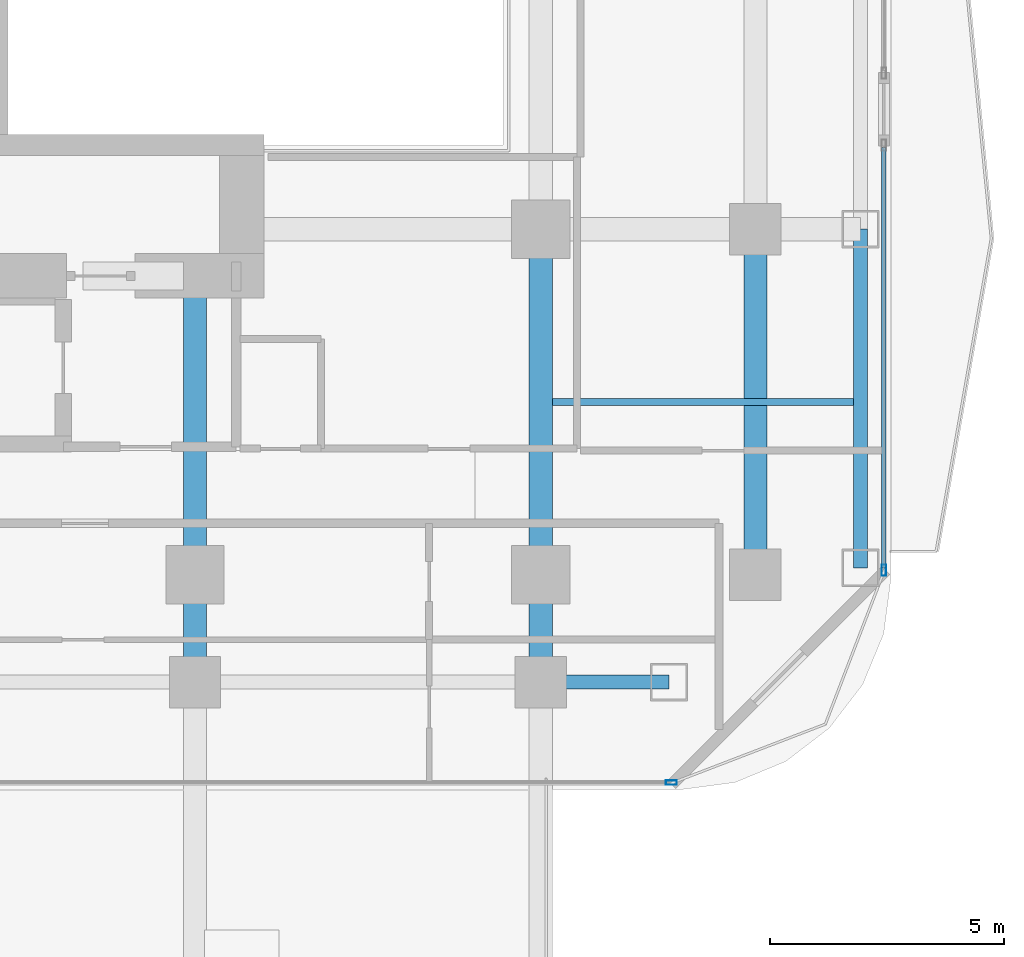
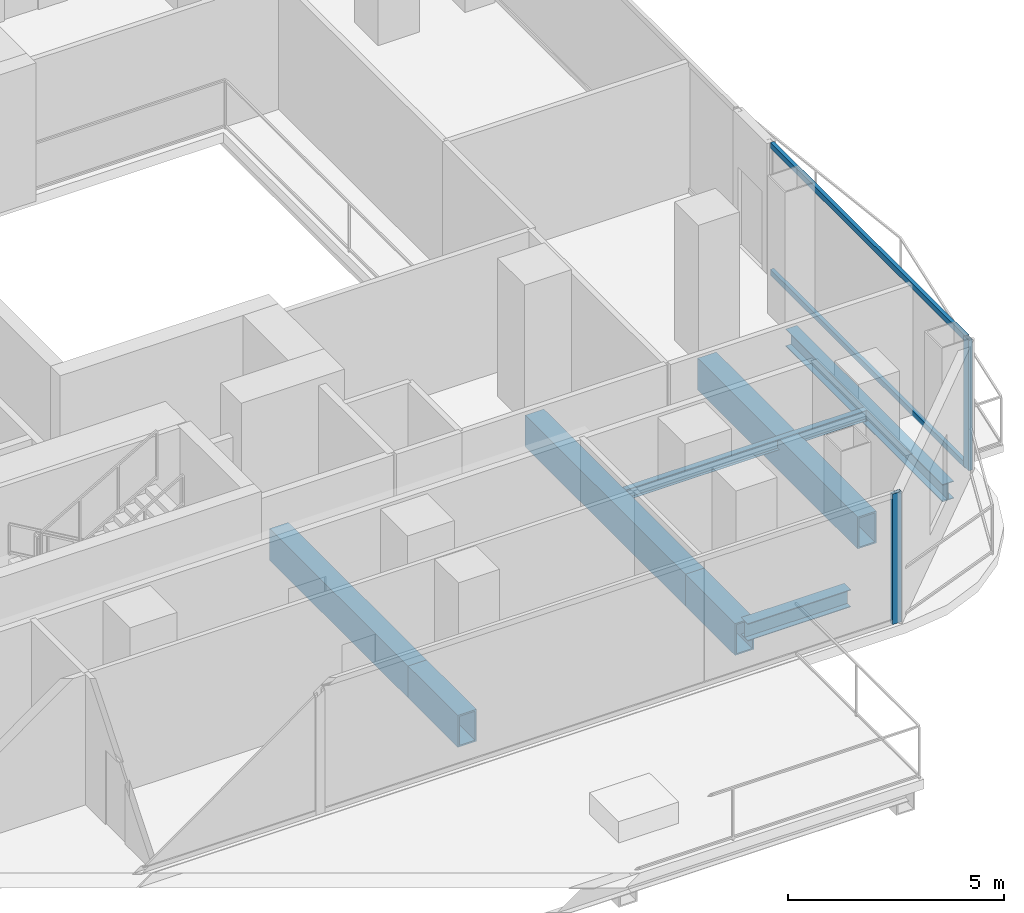
# One storey, part 6 of 29: 8 beams, 4 members, 2 elements without a shape of their own.
"""IFC4 building model written with IfcOpenShell, lengths in metres."""

from ifc_helpers import new_model, si_unit, direction, frame, origin, origin_2d, place, context, subcontext, project, spatial, hollow_rectangle, i_section, extrude, material, layer, layer_set, material_profile, profile_set, type_object, element, aggregate, save


model = new_model("IFC4")

# Units and contexts
model_context = context("Model", 3, precision=1e-05, world=origin(), true_north=direction((0.0, 1.0)))
body_context = subcontext(model_context, "Body", "Model", "MODEL_VIEW")
ifc_project = project(units=[si_unit("LENGTHUNIT", "METRE"), si_unit("AREAUNIT", "SQUARE_METRE"), si_unit("VOLUMEUNIT", "CUBIC_METRE"), si_unit("PLANEANGLEUNIT", "RADIAN"), si_unit("MASSUNIT", "GRAM", prefix="KILO")], contexts=[model_context])

# Site, building, storey
site_placement = place(None, origin())
site = spatial("IfcSite", under=ifc_project, at=site_placement, CompositionType="ELEMENT")
building_placement = place(site_placement, origin())
building = spatial("IfcBuilding", under=site, at=building_placement, Name="Khorvyn Point Tower", CompositionType="ELEMENT")
storey_placement = place(building_placement, frame((0.0, 0.0, 85.199951171875)))
storey = spatial("IfcBuildingStorey", under=building, at=storey_placement, Name="L21", CompositionType="ELEMENT", Elevation=85.199951171875)

# Curtain wall, member
ifc_material_1 = material(Name="Anodised aluminium 6063-T6 and laminated Low-E glass", Category="aluminium")
ifc_layer = layer(ifc_material_1, 0.18994140625)
ifc_layer_set = layer_set([ifc_layer], Name="Stick-Built Finned Residential Curtain Wall CW-SYS-02")
curtain_wall_type = type_object("IfcCurtainWallType", Name="Stick-Built Finned Residential Curtain Wall CW-SYS-02", PredefinedType="NOTDEFINED", material=ifc_layer_set)
curtain_wall_1_placement = place(storey_placement, origin())
curtain_wall_1 = element("IfcCurtainWall", 1, at=curtain_wall_1_placement, inside=storey, type_object=curtain_wall_type, Name="Curtain Wall", PredefinedType="NOTDEFINED")
ifc_material_2 = material(Name="Anodised aluminium 6063-T6", Category="aluminium")
ifc_material_profile_1 = material_profile(ifc_material_2, hollow_rectangle(XDim=0.10009765625, YDim=0.239990234375, WallThickness=0.0048828125, at=origin_2d()))
ifc_profile_set_1 = profile_set([ifc_material_profile_1], Name="Anodised aluminium 6063-T6 ALU-MUL-100x240")
member_type_1 = type_object("IfcMemberType", Name="Anodised Aluminium 6063-T6 Mullion ALU-MUL-100x240", PredefinedType="MULLION", material=ifc_profile_set_1)
member_1_placement = place(storey_placement, frame((17.60009765625, -19.25, 0.0), z_axis=(0.0, 0.0, 1.0), x_axis=(0.0, -1.0, 0.0)))
member_1 = element("IfcMember", 2, at=member_1_placement, type_object=member_type_1, Name="Transom", PredefinedType="MULLION", context=body_context, shape_type="SweptSolid", body=[
    extrude(hollow_rectangle(XDim=0.10009765625, YDim=0.239990234375, WallThickness=0.0048828125, at=origin_2d()), origin(), (0.0, 0.0, 1.0), 3.679931640625),
])
aggregate(curtain_wall_1, [member_1])

# Curtain wall, members
curtain_wall_2_placement = place(storey_placement, origin())
curtain_wall_2 = element("IfcCurtainWall", 3, at=curtain_wall_2_placement, inside=storey, type_object=curtain_wall_type, Name="Curtain Wall", PredefinedType="NOTDEFINED")
member_2_placement = place(storey_placement, frame((22.14990234375, -14.699951171875, 0.0), z_axis=(0.0, 0.0, 1.0), x_axis=(1.0, 0.0, 0.0)))
member_2 = element("IfcMember", 4, at=member_2_placement, type_object=member_type_1, Name="Transom", PredefinedType="MULLION", context=body_context, shape_type="SweptSolid", body=[
    extrude(hollow_rectangle(XDim=0.10009765625, YDim=0.239990234375, WallThickness=0.0048828125, at=origin_2d()), origin(), (0.0, 0.0, 1.0), 3.679931640625),
])
ifc_material_profile_2 = material_profile(ifc_material_2, hollow_rectangle(XDim=0.10009765625, YDim=0.159912109375, WallThickness=0.00439453125, at=origin_2d()))
ifc_profile_set_2 = profile_set([ifc_material_profile_2], Name="Anodised aluminium 6063-T6 ALU-TRN-100x160")
member_type_2 = type_object("IfcMemberType", Name="Anodised Aluminium 6063-T6 Transom ALU-TRN-100x160", PredefinedType="USERDEFINED", material=ifc_profile_set_2)
member_3_placement = place(storey_placement, frame((22.14990234375, -5.64990234375, 0.050048828125), z_axis=(0.0, -1.0, 0.0), x_axis=(1.0, 0.0, 0.0)))
member_3 = element("IfcMember", 5, at=member_3_placement, type_object=member_type_2, Name="Transom", ObjectType="TRANSOM", PredefinedType="USERDEFINED", context=body_context, shape_type="SweptSolid", body=[
    extrude(hollow_rectangle(XDim=0.10009765625, YDim=0.159912109375, WallThickness=0.00439453125, at=origin_2d()), origin(), (0.0, 0.0, 1.0), 9.0),
])
member_4_placement = place(storey_placement, frame((22.14990234375, -5.64990234375, 3.630126953125), z_axis=(0.0, -1.0, 0.0), x_axis=(1.0, 0.0, 0.0)))
member_4 = element("IfcMember", 6, at=member_4_placement, type_object=member_type_2, Name="Transom", ObjectType="TRANSOM", PredefinedType="USERDEFINED", context=body_context, shape_type="SweptSolid", body=[
    extrude(hollow_rectangle(XDim=0.10009765625, YDim=0.159912109375, WallThickness=0.00439453125, at=origin_2d()), origin(), (0.0, 0.0, 1.0), 9.0),
])
aggregate(curtain_wall_2, [member_2, member_3, member_4])

# Beams
ifc_material_3 = material(Name="Steel S355", Category="steel")
ifc_material_profile_3 = material_profile(ifc_material_3, i_section(OverallWidth=0.14990234375, OverallDepth=0.300048828125, WebThickness=0.006591796875, FlangeThickness=0.009033203125, at=origin_2d()))
ifc_profile_set_3 = profile_set([ifc_material_profile_3], Name="Steel S355 H300x150x6.5x9")
beam_type_1 = type_object("IfcBeamType", Name="Steel S355 Joist H300x150x6.5x9", PredefinedType="JOIST", material=ifc_profile_set_3)
beam_1_placement = place(storey_placement, frame((15.050048828125, -11.10009765625, -0.429931640625), z_axis=(1.0, 0.0, 0.0), x_axis=(0.0, 1.0, 0.0)))
element("IfcBeam", 7, at=beam_1_placement, inside=storey, type_object=beam_type_1, Name="Beam", PredefinedType="JOIST", context=body_context, shape_type="SweptSolid", body=[
    extrude(i_section(OverallWidth=0.14990234375, OverallDepth=0.300048828125, WebThickness=0.006591796875, FlangeThickness=0.009033203125, at=origin_2d()), origin(), (0.0, 0.0, 1.0), 6.449951171875),
])
ifc_material_profile_4 = material_profile(ifc_material_3, i_section(OverallWidth=0.300048828125, OverallDepth=0.488037109375, WebThickness=0.010986328125, FlangeThickness=0.01806640625, at=origin_2d()))
ifc_profile_set_4 = profile_set([ifc_material_profile_4], Name="Steel S355 H488x300x11x18")
beam_type_2 = type_object("IfcBeamType", Name="Steel S355 Spandrel H488x300x11x18", PredefinedType="SPANDREL", material=ifc_profile_set_4)
beam_2_placement = place(storey_placement, frame((14.800048828125, -17.10009765625, -0.52392578125), z_axis=(1.0, 0.0, 0.0), x_axis=(0.0, 1.0, 0.0)))
element("IfcBeam", 8, at=beam_2_placement, inside=storey, type_object=beam_type_2, Name="Beam", PredefinedType="SPANDREL", context=body_context, shape_type="SweptSolid", body=[
    extrude(i_section(OverallWidth=0.300048828125, OverallDepth=0.488037109375, WebThickness=0.010986328125, FlangeThickness=0.01806640625, at=origin_2d()), origin(), (0.0, 0.0, 1.0), 2.75),
])
beam_3_placement = place(storey_placement, frame((21.64990234375, -14.64990234375, -0.52392578125), z_axis=(0.0, 1.0, 0.0), x_axis=(-1.0, 0.0, 0.0)))
element("IfcBeam", 9, at=beam_3_placement, inside=storey, type_object=beam_type_2, Name="Beam", PredefinedType="SPANDREL", context=body_context, shape_type="SweptSolid", body=[
    extrude(i_section(OverallWidth=0.300048828125, OverallDepth=0.488037109375, WebThickness=0.010986328125, FlangeThickness=0.01806640625, at=origin_2d()), origin(), (0.0, 0.0, 1.0), 7.25),
])
ifc_material_4 = material(Name="Steel S450", Category="steel")
ifc_material_profile_5 = material_profile(ifc_material_4, hollow_rectangle(XDim=0.5, YDim=0.89990234375, WallThickness=0.0400390625, at=origin_2d()))
ifc_profile_set_5 = profile_set([ifc_material_profile_5], Name="Steel S450 BOX900x500x40")
beam_type_3 = type_object("IfcBeamType", Name="Steel S450 Beam BOX900x500x40", PredefinedType="BEAM", material=ifc_profile_set_5)
beam_4_placement = place(storey_placement, frame((14.800048828125, -17.10009765625, -0.72998046875), z_axis=(0.0, 1.0, 0.0), x_axis=(-1.0, 0.0, 0.0)))
element("IfcBeam", 10, at=beam_4_placement, inside=storey, type_object=beam_type_3, Name="L21 Radial Transfer Girder", PredefinedType="BEAM", context=body_context, shape_type="SweptSolid", body=[
    extrude(hollow_rectangle(XDim=0.5, YDim=0.89990234375, WallThickness=0.0400390625, at=origin_2d()), origin(), (0.0, 0.0, 1.0), 2.300048828125),
])
beam_5_placement = place(storey_placement, frame((14.800048828125, -14.800048828125, -0.72998046875), z_axis=(0.0, 1.0, 0.0), x_axis=(-1.0, 0.0, 0.0)))
element("IfcBeam", 11, at=beam_5_placement, inside=storey, type_object=beam_type_3, Name="L21 Radial Transfer Girder", PredefinedType="BEAM", context=body_context, shape_type="SweptSolid", body=[
    extrude(hollow_rectangle(XDim=0.5, YDim=0.89990234375, WallThickness=0.0400390625, at=origin_2d()), origin(), (0.0, 0.0, 1.0), 7.400146484375),
])
beam_6_placement = place(storey_placement, frame((7.39990234375, -17.10009765625, -0.72998046875), z_axis=(0.0, 1.0, 0.0), x_axis=(-1.0, 0.0, 0.0)))
element("IfcBeam", 12, at=beam_6_placement, inside=storey, type_object=beam_type_3, Name="Beam", PredefinedType="BEAM", context=body_context, shape_type="SweptSolid", body=[
    extrude(hollow_rectangle(XDim=0.5, YDim=0.89990234375, WallThickness=0.0400390625, at=origin_2d()), origin(), (0.0, 0.0, 1.0), 2.300048828125),
])
beam_7_placement = place(storey_placement, frame((7.39990234375, -14.800048828125, -0.72998046875), z_axis=(0.0, 1.0, 0.0), x_axis=(-1.0, 0.0, 0.0)))
element("IfcBeam", 13, at=beam_7_placement, inside=storey, type_object=beam_type_3, Name="Beam", PredefinedType="BEAM", context=body_context, shape_type="SweptSolid", body=[
    extrude(hollow_rectangle(XDim=0.5, YDim=0.89990234375, WallThickness=0.0400390625, at=origin_2d()), origin(), (0.0, 0.0, 1.0), 6.400146484375),
])
beam_8_placement = place(storey_placement, frame((19.39990234375, -14.800048828125, -0.72998046875), z_axis=(0.0, 1.0, 0.0), x_axis=(-1.0, 0.0, 0.0)))
element("IfcBeam", 14, at=beam_8_placement, inside=storey, type_object=beam_type_3, Name="Beam", PredefinedType="BEAM", context=body_context, shape_type="SweptSolid", body=[
    extrude(hollow_rectangle(XDim=0.5, YDim=0.89990234375, WallThickness=0.0400390625, at=origin_2d()), origin(), (0.0, 0.0, 1.0), 7.400146484375),
])

save(model, "model.ifc")
